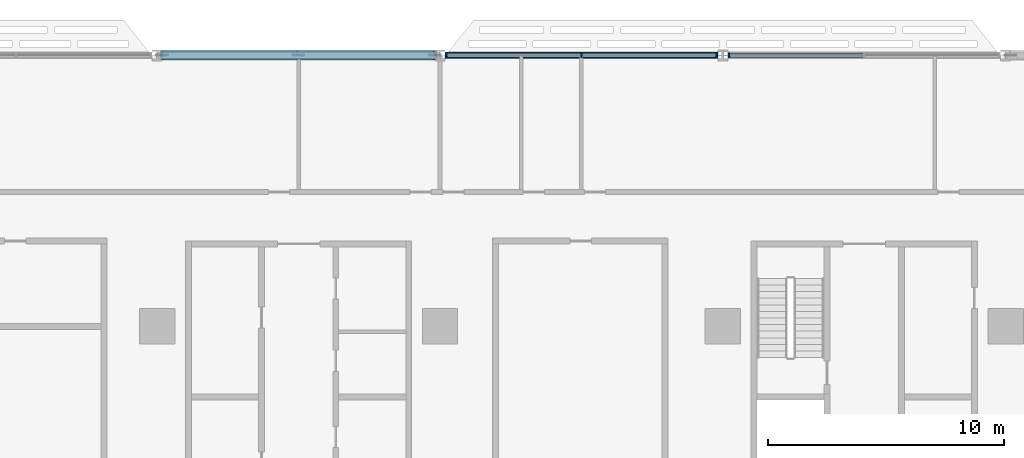
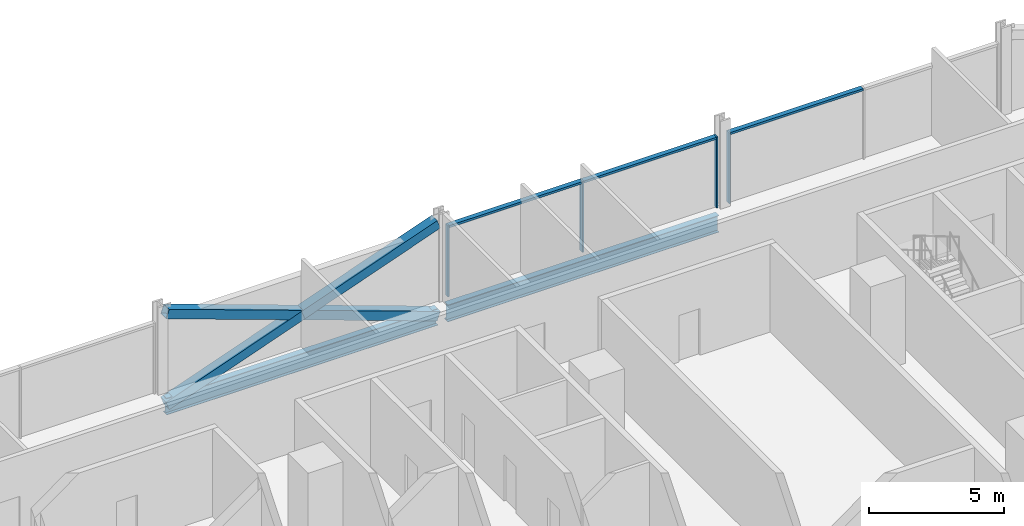
# One storey, part 7 of 29: 10 members, 2 beams, 2 elements without a shape of their own.
"""IFC4 building model written with IfcOpenShell, lengths in metres."""

from ifc_helpers import new_model, si_unit, direction, frame, origin, origin_2d, place, context, subcontext, project, spatial, rectangle, hollow_rectangle, i_section, extrude, material, material_profile, profile_set, type_object, element, aggregate, save


model = new_model("IFC4")

# Units and contexts
model_context = context("Model", 3, precision=1e-05, world=origin(), true_north=direction((0.0, 1.0)))
body_context = subcontext(model_context, "Body", "Model", "MODEL_VIEW")
ifc_project = project(units=[si_unit("LENGTHUNIT", "METRE"), si_unit("AREAUNIT", "SQUARE_METRE"), si_unit("VOLUMEUNIT", "CUBIC_METRE"), si_unit("PLANEANGLEUNIT", "RADIAN"), si_unit("MASSUNIT", "GRAM", prefix="KILO")], contexts=[model_context])

# Site, building, storey
site_placement = place(None, origin())
site = spatial("IfcSite", under=ifc_project, at=site_placement, CompositionType="ELEMENT")
building_placement = place(site_placement, origin())
building = spatial("IfcBuilding", under=site, at=building_placement, Name="Mahtab Terrace Research Tower", CompositionType="ELEMENT")
storey_placement = place(building_placement, frame((0.0, 0.0, 67.5)))
storey = spatial("IfcBuildingStorey", under=building, at=storey_placement, Name="L15", CompositionType="ELEMENT", Elevation=67.5)

# Members
ifc_material_1 = material(Name="Steel ASTM A500 Gr C", Category="steel")
ifc_material_profile_1 = material_profile(ifc_material_1, hollow_rectangle(XDim=0.406494140625, YDim=0.406494140625, WallThickness=0.01904296875, at=origin_2d()), Name="HSS16X16X3/4")
ifc_profile_set_1 = profile_set([ifc_material_profile_1], Name="Steel ASTM A500 Gr C")
member_type_1 = type_object("IfcMemberType", Name="HSS 16x16x3/4 brace XB161634", PredefinedType="BRACE", material=ifc_profile_set_1)
member_1_placement = place(storey_placement, frame((5.787841796875, 23.0, -0.642333984375), z_axis=(-0.941386519928, 0.0, 0.337329838731), x_axis=(0.0, -1.0, 0.0)))
element("IfcMember", 1, at=member_1_placement, inside=storey, type_object=member_type_1, Name="Exoskeleton brace L15 05 a", PredefinedType="BRACE", context=body_context, shape_type="SweptSolid", body=[
    extrude(hollow_rectangle(XDim=0.406494140625, YDim=0.406494140625, WallThickness=0.01904296875, at=origin_2d()), origin(), (0.0, 0.0, 1.0), 12.29638671875),
])
for number, where, z_axis, x_axis, name in (
    (2, (-5.787841796875, 23.0, -0.642333984375), (0.941386519928, 0.0, 0.337329838731), (0.0, 1.0, 0.0), "Exoskeleton brace L15 05 b1"),
    (3, (0.0, 23.0, 1.431640625), (0.941386519928, 0.0, 0.337329838731), (0.0, 1.0, 0.0), "Exoskeleton brace L15 05 b2"),
):
    element("IfcMember", number, at=place(storey_placement, frame(where, z_axis=z_axis, x_axis=x_axis)), inside=storey, type_object=member_type_1, Name=name, PredefinedType="BRACE", context=body_context, shape_type="SweptSolid", body=[
        extrude(hollow_rectangle(XDim=0.406494140625, YDim=0.406494140625, WallThickness=0.01904296875, at=origin_2d()), origin(), (0.0, 0.0, 1.0), 6.148193359375),
    ])

# Curtain wall, member
ifc_material_2 = material(Name="Laboratory ribbon curtain wall")
curtain_wall_type = type_object("IfcCurtainWallType", Name="Laboratory ribbon curtain wall", PredefinedType="NOTDEFINED", material=ifc_material_2)
curtain_wall_1_placement = place(storey_placement, origin())
curtain_wall_1 = element("IfcCurtainWall", 4, at=curtain_wall_1_placement, inside=storey, type_object=curtain_wall_type, Name="EN.L15.3.5", PredefinedType="NOTDEFINED")
ifc_material_3 = material(Name="Natural anodised aluminium", Category="aluminium")
ifc_material_profile_2 = material_profile(ifc_material_3, rectangle(XDim=0.199951171875, YDim=0.06494140625, at=origin_2d()), Name="MULLION 65x200")
ifc_profile_set_2 = profile_set([ifc_material_profile_2], Name="Natural anodised aluminium")
member_type_2 = type_object("IfcMemberType", Name="Laboratory ribbon curtain wall mullion", PredefinedType="MULLION", material=ifc_profile_set_2)
member_2_placement = place(storey_placement, frame((18.2705078125, 23.0, 0.0), z_axis=(0.0, 0.0, 1.0), x_axis=(0.0, -1.0, 0.0)))
member_2 = element("IfcMember", 5, at=member_2_placement, type_object=member_type_2, Name="CWL-2 mullion 3", PredefinedType="MULLION", context=body_context, shape_type="SweptSolid", body=[
    extrude(rectangle(XDim=0.199951171875, YDim=0.06494140625, at=origin_2d()), origin(), (0.0, 0.0, 1.0), 3.203125),
])

# Curtain wall, members
curtain_wall_2_placement = place(storey_placement, origin())
curtain_wall_2 = element("IfcCurtainWall", 6, at=curtain_wall_2_placement, inside=storey, type_object=curtain_wall_type, Name="EN.L15.3.6", PredefinedType="NOTDEFINED")
member_3_placement = place(storey_placement, frame((17.7294921875, 23.0, 0.0), z_axis=(0.0, 0.0, 1.0), x_axis=(0.0, -1.0, 0.0)))
member_3 = element("IfcMember", 7, at=member_3_placement, type_object=member_type_2, Name="CWL-2 mullion 1", PredefinedType="MULLION", context=body_context, shape_type="SweptSolid", body=[
    extrude(rectangle(XDim=0.199951171875, YDim=0.06494140625, at=origin_2d()), origin(), (0.0, 0.0, 1.0), 3.203125),
])
member_4_placement = place(storey_placement, frame((12.0, 23.0, 0.0), z_axis=(0.0, 0.0, 1.0), x_axis=(0.0, -1.0, 0.0)))
member_4 = element("IfcMember", 8, at=member_4_placement, type_object=member_type_2, Name="CWL-2 mullion 2", PredefinedType="MULLION", context=body_context, shape_type="SweptSolid", body=[
    extrude(rectangle(XDim=0.199951171875, YDim=0.06494140625, at=origin_2d()), origin(), (0.0, 0.0, 1.0), 3.203125),
])
member_5_placement = place(storey_placement, frame((6.2705078125, 23.0, 0.0), z_axis=(0.0, 0.0, 1.0), x_axis=(0.0, -1.0, 0.0)))
member_5 = element("IfcMember", 9, at=member_5_placement, type_object=member_type_2, Name="CWL-2 mullion 3", PredefinedType="MULLION", context=body_context, shape_type="SweptSolid", body=[
    extrude(rectangle(XDim=0.199951171875, YDim=0.06494140625, at=origin_2d()), origin(), (0.0, 0.0, 1.0), 3.203125),
])

# Member
ifc_material_profile_3 = material_profile(ifc_material_3, rectangle(XDim=0.199951171875, YDim=0.10009765625, at=origin_2d()), Name="TRANSOM 100x200")
ifc_profile_set_3 = profile_set([ifc_material_profile_3], Name="Natural anodised aluminium")
member_type_3 = type_object("IfcMemberType", Name="Laboratory ribbon curtain wall transom", PredefinedType="USERDEFINED", material=ifc_profile_set_3)
member_6_placement = place(storey_placement, frame((23.967529296875, 23.0, 3.153076171875), z_axis=(-1.0, 0.0, 0.0), x_axis=(0.0, -1.0, 0.0)))
member_6 = element("IfcMember", 10, at=member_6_placement, type_object=member_type_3, Name="CWL-2 transom 2", ObjectType="TRANSOM", PredefinedType="USERDEFINED", context=body_context, shape_type="SweptSolid", body=[
    extrude(rectangle(XDim=0.199951171875, YDim=0.10009765625, at=origin_2d()), origin(), (0.0, 0.0, 1.0), 5.66455078125),
])

aggregate(curtain_wall_1, [member_2, member_6])

member_7_placement = place(storey_placement, frame((17.697021484375, 23.0, 3.153076171875), z_axis=(-1.0, 0.0, 0.0), x_axis=(0.0, -1.0, 0.0)))
member_7 = element("IfcMember", 11, at=member_7_placement, type_object=member_type_3, Name="CWL-2 transom 1", ObjectType="TRANSOM", PredefinedType="USERDEFINED", context=body_context, shape_type="SweptSolid", body=[
    extrude(rectangle(XDim=0.199951171875, YDim=0.10009765625, at=origin_2d()), origin(), (0.0, 0.0, 1.0), 5.66455078125),
])

member_8_placement = place(storey_placement, frame((11.967529296875, 23.0, 3.153076171875), z_axis=(-1.0, 0.0, 0.0), x_axis=(0.0, -1.0, 0.0)))
member_8 = element("IfcMember", 12, at=member_8_placement, type_object=member_type_3, Name="CWL-2 transom 2", ObjectType="TRANSOM", PredefinedType="USERDEFINED", context=body_context, shape_type="SweptSolid", body=[
    extrude(rectangle(XDim=0.199951171875, YDim=0.10009765625, at=origin_2d()), origin(), (0.0, 0.0, 1.0), 5.66455078125),
])

aggregate(curtain_wall_2, [member_3, member_4, member_5, member_7, member_8])

# Beams
ifc_material_4 = material(Name="Steel ASTM A992 Gr 50", Category="steel")
ifc_material_profile_4 = material_profile(ifc_material_4, i_section(OverallWidth=0.2666015625, OverallDepth=0.7568359375, WebThickness=0.013916015625, FlangeThickness=0.019287109375, at=origin_2d()), Name="W30X108")
ifc_profile_set_4 = profile_set([ifc_material_profile_4], Name="Steel ASTM A992 Gr 50")
beam_type = type_object("IfcBeamType", Name="W30x108 beam BS30108", PredefinedType="BEAM", material=ifc_profile_set_4)
for number, where, z_axis, x_axis, name in (
    (13, (17.787841796875, 23.0, -0.718505859375), (-1.0, 0.0, 0.0), (0.0, -1.0, 0.0), "Spandrel beam L15 04"),
    (14, (5.787841796875, 23.0, -0.718505859375), (-1.0, 0.0, 0.0), (0.0, -1.0, 0.0), "Spandrel beam L15 05"),
):
    element("IfcBeam", number, at=place(storey_placement, frame(where, z_axis=z_axis, x_axis=x_axis)), inside=storey, type_object=beam_type, Name=name, PredefinedType="BEAM", context=body_context, shape_type="SweptSolid", body=[
        extrude(i_section(OverallWidth=0.2666015625, OverallDepth=0.7568359375, WebThickness=0.013916015625, FlangeThickness=0.019287109375, at=origin_2d()), origin(), (0.0, 0.0, 1.0), 11.57568359375),
    ])

save(model, "model.ifc")
